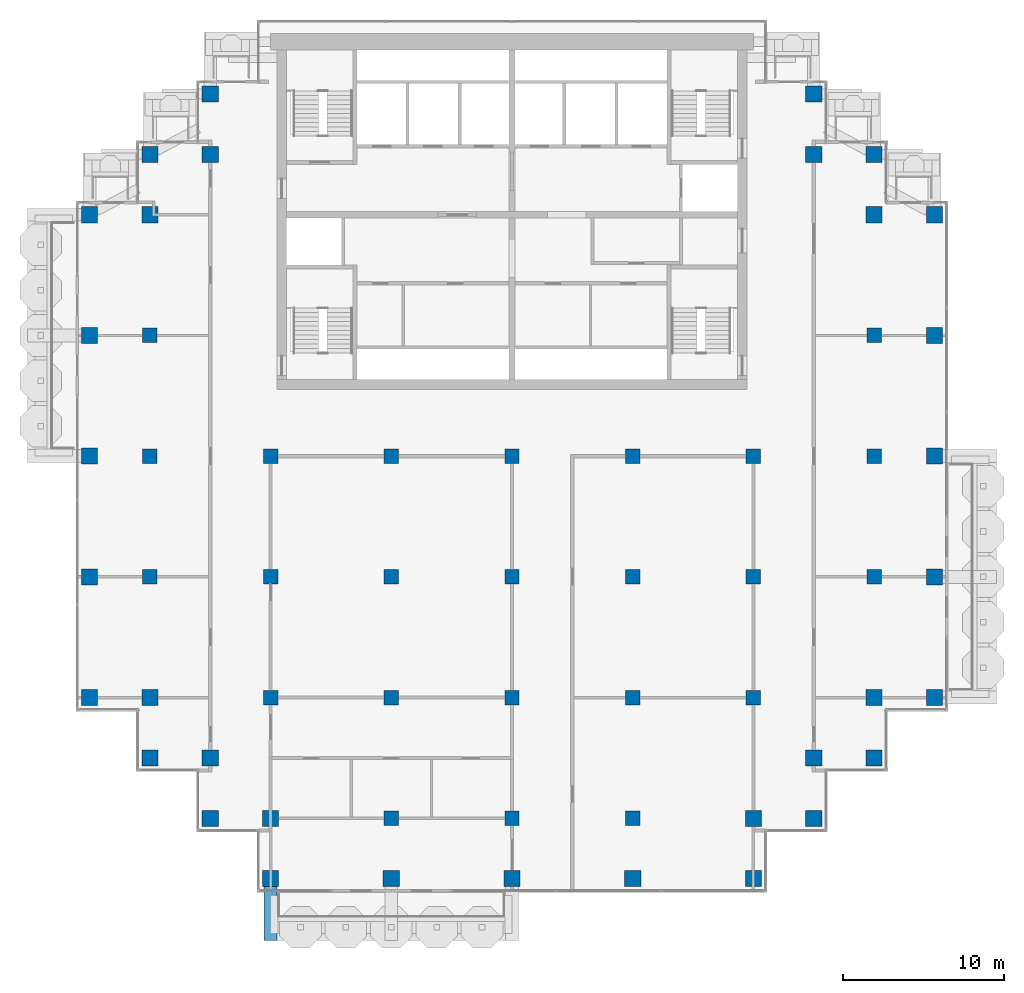
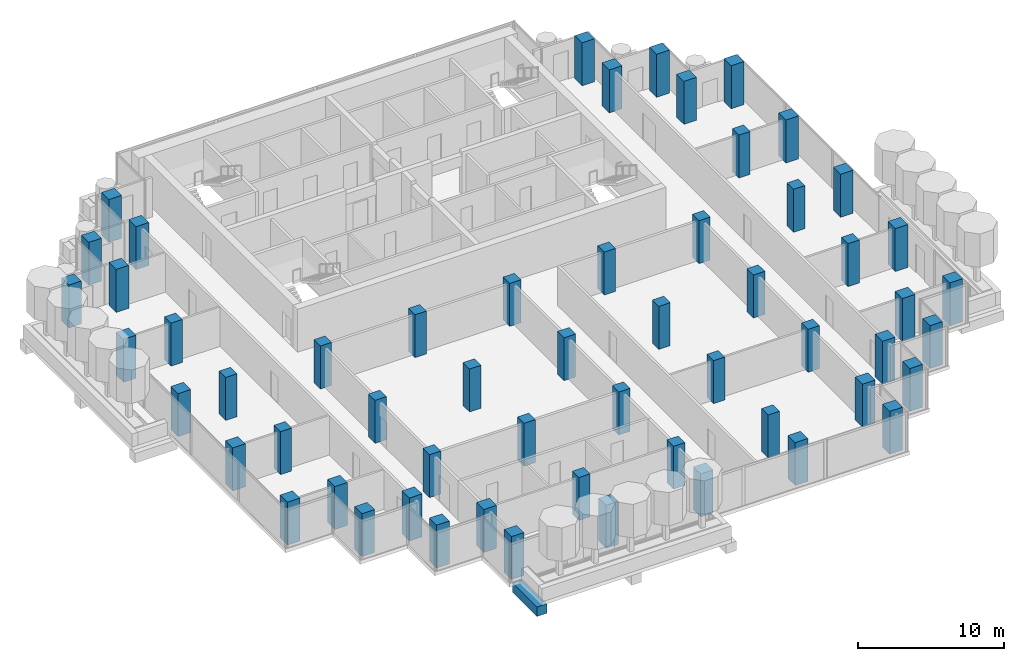
# One storey, part 1 of 17: 57 columns, 1 beam.
"""IFC4 building model written with IfcOpenShell, lengths in metres."""

from ifc_helpers import new_model, si_unit, direction, frame, origin, origin_2d, place, context, subcontext, project, spatial, rectangle, extrude, material, material_profile, profile_set, type_object, element, save


model = new_model("IFC4")

# Units and contexts
model_context = context("Model", 3, precision=1e-05, world=origin(), true_north=direction((0.0, 1.0)))
body_context = subcontext(model_context, "Body", "Model", "MODEL_VIEW")
ifc_project = project(units=[si_unit("LENGTHUNIT", "METRE"), si_unit("AREAUNIT", "SQUARE_METRE"), si_unit("VOLUMEUNIT", "CUBIC_METRE"), si_unit("PLANEANGLEUNIT", "RADIAN"), si_unit("MASSUNIT", "GRAM", prefix="KILO")], contexts=[model_context])

# Site, building, storey
site_placement = place(None, origin())
site = spatial("IfcSite", under=ifc_project, at=site_placement, CompositionType="ELEMENT")
building_placement = place(site_placement, origin())
building = spatial("IfcBuilding", under=site, at=building_placement, Name="Pilkhan Gate Tower", CompositionType="ELEMENT")
storey_placement = place(building_placement, frame((0.0, 0.0, 213.89990234375)))
storey = spatial("IfcBuildingStorey", under=building, at=storey_placement, Name="L55", CompositionType="ELEMENT", Elevation=213.89990234375)

# Columns
ifc_material = material(Name="Concrete C50/60", Category="concrete")
ifc_material_profile_1 = material_profile(ifc_material, rectangle(XDim=1.0, YDim=1.0, at=origin_2d()), Name="RC 1000x1000")
ifc_profile_set_1 = profile_set([ifc_material_profile_1], Name="Concrete C50/60")
column_type_1 = type_object("IfcColumnType", Name="Column C100 RC 1000x1000 C50/60", PredefinedType="COLUMN", material=ifc_profile_set_1)
for number, where, z_axis, x_axis, name in (
    (1, (48.75, 52.5, 0.0), (0.0, 0.0, 1.0), (1.0, 0.0, 0.0), "Column 4/D L55"),
    (2, (48.75, 60.0, 0.0), (0.0, 0.0, 1.0), (1.0, 0.0, 0.0), "Column 4/F L55"),
    (3, (48.75, 67.5, 0.0), (0.0, 0.0, 1.0), (1.0, 0.0, 0.0), "Column 4/H L55"),
    (4, (48.75, 75.0, 0.0), (0.0, 0.0, 1.0), (1.0, 0.0, 0.0), "Column 4/K L55"),
    (5, (48.75, 82.5, 0.0), (0.0, 0.0, 1.0), (1.0, 0.0, 0.0), "Column 4/M L55"),
    (6, (52.5, 48.75, 0.0), (0.0, 0.0, 1.0), (1.0, 0.0, 0.0), "Column 5/C L55"),
    (7, (52.5, 52.5, 0.0), (0.0, 0.0, 1.0), (1.0, 0.0, 0.0), "Column 5/D L55"),
    (8, (52.5, 82.5, 0.0), (0.0, 0.0, 1.0), (1.0, 0.0, 0.0), "Column 5/M L55"),
    (9, (52.5, 86.25, 0.0), (0.0, 0.0, 1.0), (1.0, 0.0, 0.0), "Column 5/N L55"),
    (10, (56.25, 45.0, 0.0), (0.0, 0.0, 1.0), (1.0, 0.0, 0.0), "Column 6/B L55"),
    (11, (56.25, 48.75, 0.0), (0.0, 0.0, 1.0), (1.0, 0.0, 0.0), "Column 6/C L55"),
    (12, (56.25, 86.25, 0.0), (0.0, 0.0, 1.0), (1.0, 0.0, 0.0), "Column 6/N L55"),
    (13, (56.25, 90.0, 0.0), (0.0, 0.0, 1.0), (1.0, 0.0, 0.0), "Column 6/P L55"),
    (14, (60.0, 41.25, 0.0), (0.0, 0.0, 1.0), (1.0, 0.0, 0.0), "Column 7/A L55"),
    (15, (60.0, 45.0, 0.0), (0.0, 0.0, 1.0), (1.0, 0.0, 0.0), "Column 7/B L55"),
    (16, (67.5, 41.25, 0.0), (0.0, 0.0, 1.0), (1.0, 0.0, 0.0), "Column 9/A L55"),
    (17, (75.0, 41.25, 0.0), (0.0, 0.0, 1.0), (1.0, 0.0, 0.0), "Column 11/A L55"),
    (18, (82.5, 41.25, 0.0), (0.0, 0.0, 1.0), (1.0, 0.0, 0.0), "Column 13/A L55"),
    (19, (90.0, 41.25, 0.0), (0.0, 0.0, 1.0), (1.0, 0.0, 0.0), "Column 15/A L55"),
    (20, (90.0, 45.0, 0.0), (0.0, 0.0, 1.0), (1.0, 0.0, 0.0), "Column 15/B L55"),
    (21, (93.75, 45.0, 0.0), (0.0, 0.0, 1.0), (1.0, 0.0, 0.0), "Column 16/B L55"),
    (22, (93.75, 48.75, 0.0), (0.0, 0.0, 1.0), (1.0, 0.0, 0.0), "Column 16/C L55"),
    (23, (93.75, 86.25, 0.0), (0.0, 0.0, 1.0), (1.0, 0.0, 0.0), "Column 16/N L55"),
    (24, (93.75, 90.0, 0.0), (0.0, 0.0, 1.0), (1.0, 0.0, 0.0), "Column 16/P L55"),
    (25, (97.5, 48.75, 0.0), (0.0, 0.0, 1.0), (1.0, 0.0, 0.0), "Column 17/C L55"),
    (26, (97.5, 52.5, 0.0), (0.0, 0.0, 1.0), (1.0, 0.0, 0.0), "Column 17/D L55"),
    (27, (97.5, 82.5, 0.0), (0.0, 0.0, 1.0), (1.0, 0.0, 0.0), "Column 17/M L55"),
    (28, (97.5, 86.25, 0.0), (0.0, 0.0, 1.0), (1.0, 0.0, 0.0), "Column 17/N L55"),
    (29, (101.25, 52.5, 0.0), (0.0, 0.0, 1.0), (1.0, 0.0, 0.0), "Column 18/D L55"),
    (30, (101.25, 60.0, 0.0), (0.0, 0.0, 1.0), (1.0, 0.0, 0.0), "Column 18/F L55"),
    (31, (101.25, 67.5, 0.0), (0.0, 0.0, 1.0), (1.0, 0.0, 0.0), "Column 18/H L55"),
    (32, (101.25, 75.0, 0.0), (0.0, 0.0, 1.0), (1.0, 0.0, 0.0), "Column 18/K L55"),
    (33, (101.25, 82.5, 0.0), (0.0, 0.0, 1.0), (1.0, 0.0, 0.0), "Column 18/M L55"),
):
    element("IfcColumn", number, at=place(storey_placement, frame(where, z_axis=z_axis, x_axis=x_axis)), inside=storey, type_object=column_type_1, Name=name, PredefinedType="COLUMN", context=body_context, shape_type="SweptSolid", body=[
        extrude(rectangle(XDim=1.0, YDim=1.0, at=origin_2d()), origin(), (0.0, 0.0, 1.0), 3.60009765625),
    ])
ifc_material_profile_2 = material_profile(ifc_material, rectangle(XDim=0.89990234375, YDim=0.89990234375, at=origin_2d()), Name="RC 900x900")
ifc_profile_set_2 = profile_set([ifc_material_profile_2], Name="Concrete C50/60")
column_type_2 = type_object("IfcColumnType", Name="Column C90 RC 900x900 C50/60", PredefinedType="COLUMN", material=ifc_profile_set_2)
for number, where, z_axis, x_axis, name in (
    (34, (52.5, 60.0, 0.0), (0.0, 0.0, 1.0), (1.0, 0.0, 0.0), "Column 5/F L55"),
    (35, (52.5, 67.5, 0.0), (0.0, 0.0, 1.0), (1.0, 0.0, 0.0), "Column 5/H L55"),
    (36, (52.5, 75.0, 0.0), (0.0, 0.0, 1.0), (1.0, 0.0, 0.0), "Column 5/K L55"),
    (37, (60.0, 52.5, 0.0), (0.0, 0.0, 1.0), (1.0, 0.0, 0.0), "Column 7/D L55"),
    (38, (60.0, 60.0, 0.0), (0.0, 0.0, 1.0), (1.0, 0.0, 0.0), "Column 7/F L55"),
    (39, (60.0, 67.5, 0.0), (0.0, 0.0, 1.0), (1.0, 0.0, 0.0), "Column 7/H L55"),
    (40, (67.5, 45.0, 0.0), (0.0, 0.0, 1.0), (1.0, 0.0, 0.0), "Column 9/B L55"),
    (41, (67.5, 52.5, 0.0), (0.0, 0.0, 1.0), (1.0, 0.0, 0.0), "Column 9/D L55"),
    (42, (67.5, 60.0, 0.0), (0.0, 0.0, 1.0), (1.0, 0.0, 0.0), "Column 9/F L55"),
    (43, (67.5, 67.5, 0.0), (0.0, 0.0, 1.0), (1.0, 0.0, 0.0), "Column 9/H L55"),
    (44, (75.0, 45.0, 0.0), (0.0, 0.0, 1.0), (1.0, 0.0, 0.0), "Column 11/B L55"),
    (45, (75.0, 52.5, 0.0), (0.0, 0.0, 1.0), (1.0, 0.0, 0.0), "Column 11/D L55"),
    (46, (75.0, 60.0, 0.0), (0.0, 0.0, 1.0), (1.0, 0.0, 0.0), "Column 11/F L55"),
    (47, (75.0, 67.5, 0.0), (0.0, 0.0, 1.0), (1.0, 0.0, 0.0), "Column 11/H L55"),
    (48, (82.5, 45.0, 0.0), (0.0, 0.0, 1.0), (1.0, 0.0, 0.0), "Column 13/B L55"),
    (49, (82.5, 52.5, 0.0), (0.0, 0.0, 1.0), (1.0, 0.0, 0.0), "Column 13/D L55"),
    (50, (82.5, 60.0, 0.0), (0.0, 0.0, 1.0), (1.0, 0.0, 0.0), "Column 13/F L55"),
    (51, (82.5, 67.5, 0.0), (0.0, 0.0, 1.0), (1.0, 0.0, 0.0), "Column 13/H L55"),
    (52, (90.0, 52.5, 0.0), (0.0, 0.0, 1.0), (1.0, 0.0, 0.0), "Column 15/D L55"),
    (53, (90.0, 60.0, 0.0), (0.0, 0.0, 1.0), (1.0, 0.0, 0.0), "Column 15/F L55"),
    (54, (90.0, 67.5, 0.0), (0.0, 0.0, 1.0), (1.0, 0.0, 0.0), "Column 15/H L55"),
    (55, (97.5, 60.0, 0.0), (0.0, 0.0, 1.0), (1.0, 0.0, 0.0), "Column 17/F L55"),
    (56, (97.5, 67.5, 0.0), (0.0, 0.0, 1.0), (1.0, 0.0, 0.0), "Column 17/H L55"),
    (57, (97.5, 75.0, 0.0), (0.0, 0.0, 1.0), (1.0, 0.0, 0.0), "Column 17/K L55"),
):
    element("IfcColumn", number, at=place(storey_placement, frame(where, z_axis=z_axis, x_axis=x_axis)), inside=storey, type_object=column_type_2, Name=name, PredefinedType="COLUMN", context=body_context, shape_type="SweptSolid", body=[
        extrude(rectangle(XDim=0.89990234375, YDim=0.89990234375, at=origin_2d()), origin(), (0.0, 0.0, 1.0), 3.60009765625),
    ])

# Beam
ifc_material_profile_3 = material_profile(ifc_material, rectangle(XDim=0.800048828125, YDim=0.800048828125, at=origin_2d()), Name="RC 800x800")
ifc_profile_set_3 = profile_set([ifc_material_profile_3], Name="Concrete C50/60")
beam_type = type_object("IfcBeamType", Name="Cantilever beam CB2 RC 800x800 C50/60", PredefinedType="BEAM", material=ifc_profile_set_3)
beam_placement = place(storey_placement, frame((60.0, 40.75, -0.699951171875), z_axis=(0.0, -1.0, 0.0), x_axis=(1.0, 0.0, 0.0)))
element("IfcBeam", 58, at=beam_placement, inside=storey, type_object=beam_type, Name="Balcony beam S.1 L55", PredefinedType="BEAM", context=body_context, shape_type="SweptSolid", body=[
    extrude(rectangle(XDim=0.800048828125, YDim=0.800048828125, at=origin_2d()), origin(), (0.0, 0.0, 1.0), 3.35009765625),
])

save(model, "model.ifc")
